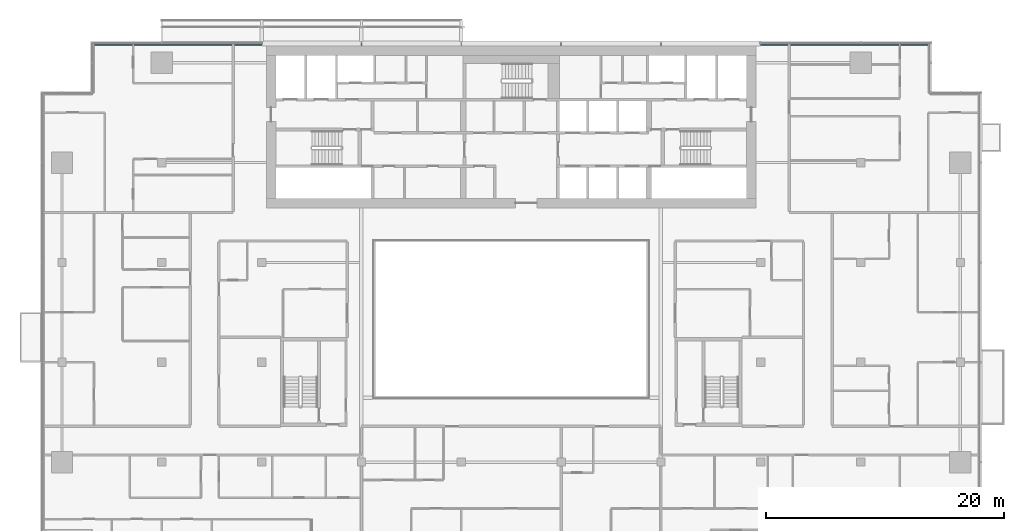
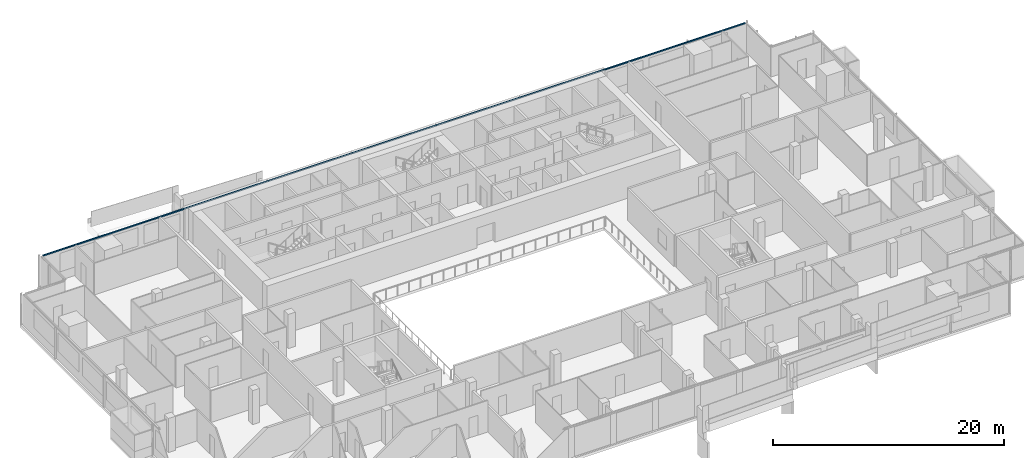
# One storey, part 9 of 28: 1 member, 1 element without a shape of its own.
"""IFC4 building model written with IfcOpenShell, lengths in metres."""

from ifc_helpers import new_model, si_unit, direction, frame, origin, origin_2d, place, context, subcontext, project, spatial, rectangle, extrude, material, material_profile, profile_set, type_object, element, aggregate, save


model = new_model("IFC4")

# Units and contexts
model_context = context("Model", 3, precision=1e-05, world=origin(), true_north=direction((0.0, 1.0)))
body_context = subcontext(model_context, "Body", "Model", "MODEL_VIEW")
ifc_project = project(units=[si_unit("LENGTHUNIT", "METRE"), si_unit("AREAUNIT", "SQUARE_METRE"), si_unit("VOLUMEUNIT", "CUBIC_METRE"), si_unit("PLANEANGLEUNIT", "RADIAN"), si_unit("MASSUNIT", "GRAM", prefix="KILO")], contexts=[model_context])

# Site, building, storey
site_placement = place(None, origin())
site = spatial("IfcSite", under=ifc_project, at=site_placement, CompositionType="ELEMENT")
building_placement = place(site_placement, origin())
building = spatial("IfcBuilding", under=site, at=building_placement, Name="Saffron Gate Tower", CompositionType="ELEMENT")
storey_placement = place(building_placement, frame((0.0, 0.0, 176.25)))
storey = spatial("IfcBuildingStorey", under=building, at=storey_placement, Name="L43", CompositionType="ELEMENT", Elevation=176.25)

# Curtain wall, member
ifc_material = material(Name="Aluminium, bronze anodised", Category="aluminium")
curtain_wall_type = type_object("IfcCurtainWallType", Name="CWS3 curtain wall rear facade", PredefinedType="NOTDEFINED", material=ifc_material)
curtain_wall_placement = place(storey_placement, origin())
curtain_wall = element("IfcCurtainWall", 1, at=curtain_wall_placement, inside=storey, type_object=curtain_wall_type, Name="CWS3 run 7", PredefinedType="NOTDEFINED")
ifc_material_profile = material_profile(ifc_material, rectangle(XDim=0.1201171875, YDim=0.1201171875, at=origin_2d()))
ifc_profile_set = profile_set([ifc_material_profile], Name="Aluminium, bronze anodised")
member_type = type_object("IfcMemberType", Name="CWS3 head transom", PredefinedType="USERDEFINED", material=ifc_profile_set)
member_placement = place(storey_placement, frame((122.632080078125, 75.35205078125, 3.260009765625), z_axis=(-1.0, 0.0, 0.0), x_axis=(0.0, -1.0, 0.0)))
member = element("IfcMember", 2, at=member_placement, type_object=member_type, Name="CWS3 head transom", ObjectType="TRANSOM", PredefinedType="USERDEFINED", context=body_context, shape_type="SweptSolid", body=[
    extrude(rectangle(XDim=0.1201171875, YDim=0.1201171875, at=origin_2d()), origin(), (0.0, 0.0, 1.0), 70.06396484375),
])
aggregate(curtain_wall, [member])

save(model, "model.ifc")
